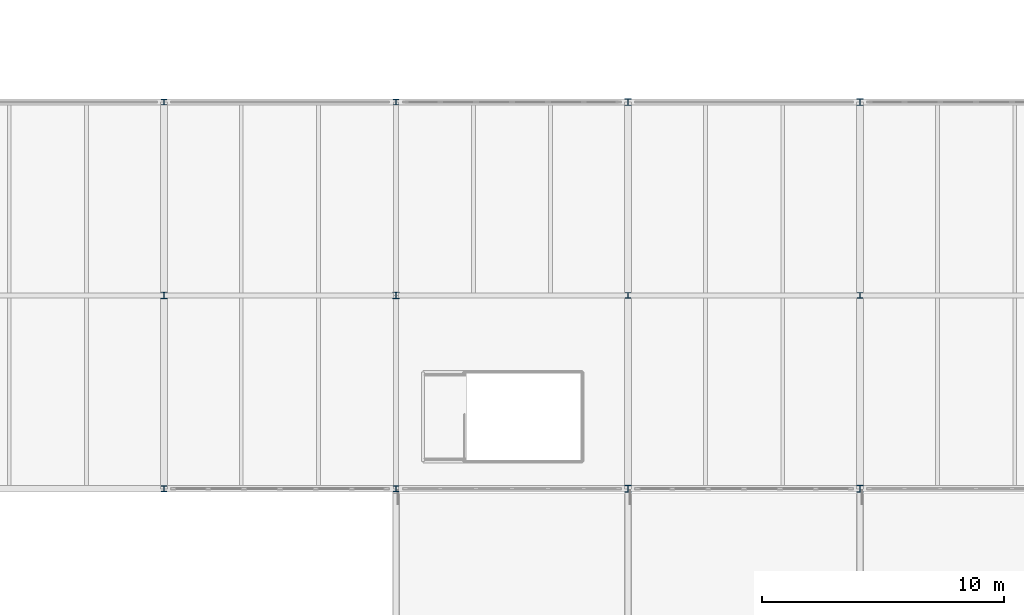
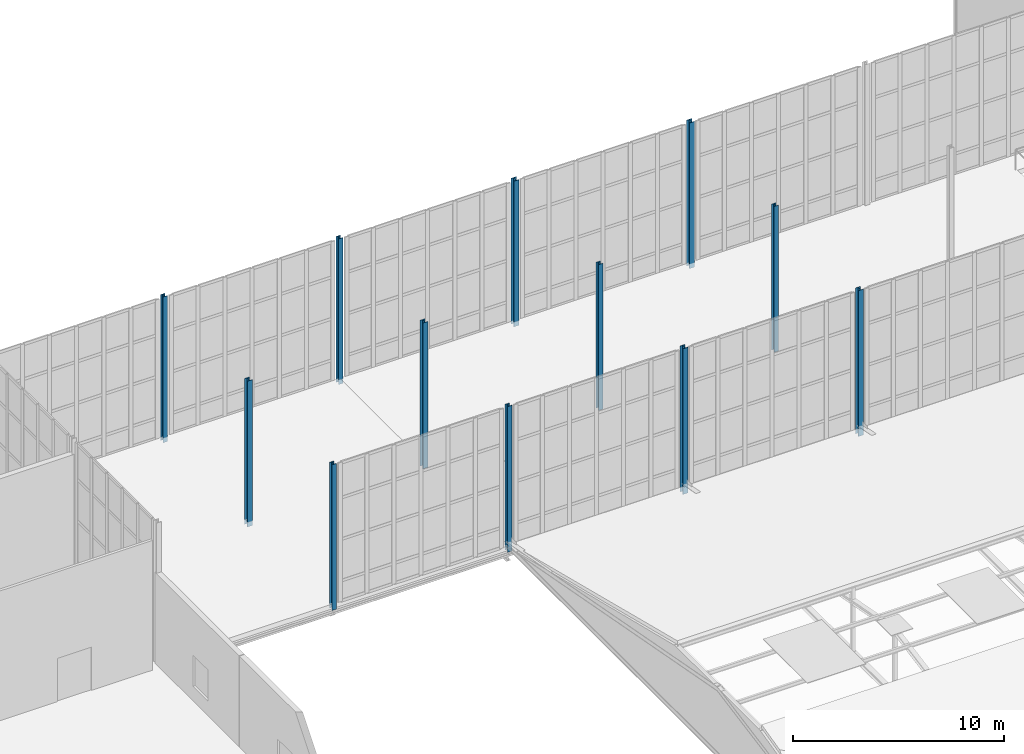
# One storey, part 8 of 73: 12 columns.
"""IFC4 building model written with IfcOpenShell, lengths in metres."""

import ifcopenshell
import ifcopenshell.guid

model = None  # the IFC model being written
_history = None  # IfcOwnerHistory: only IFC2X3 demands one
_inside = {}  # id of a spatial element -> (the spatial element, [elements in it])
_under = {}  # id of a project, library or spatial element -> (it, [spatial elements below it])
_declared = {}  # id of a project -> (the project, [libraries it declares])
_typed = {}  # id of a type object -> (the type object, [elements of that type])
_made_of = {}  # id of a material, layer set ... -> (it, [elements and type objects made of it])


def new_model(schema):
    """Start an empty IFC model of exactly this schema.

    Asked for "IFC4X3", IfcOpenShell would pick the latest addendum, in which some entities
    have other attributes; the version numbers below select the first issue.
    IFC2X3 requires an IfcOwnerHistory on every rooted entity: one is made here for all.
    """
    global model, _history
    if schema == "IFC4X3":
        model = ifcopenshell.file(schema_version=(4, 3, 0, 0))
    else:
        model = ifcopenshell.file(schema=schema)
    _inside.clear()
    _under.clear()
    _declared.clear()
    _typed.clear()
    _made_of.clear()
    _history = None
    if model.schema == "IFC2X3":
        org = make("IfcOrganization", Name="unknown")
        user = make(
            "IfcPersonAndOrganization",
            ThePerson=make("IfcPerson", FamilyName="unknown"),
            TheOrganization=org,
        )
        app = make(
            "IfcApplication",
            ApplicationDeveloper=org,
            Version="unknown",
            ApplicationFullName="unknown",
            ApplicationIdentifier="unknown",
        )
        _history = make(
            "IfcOwnerHistory",
            OwningUser=user,
            OwningApplication=app,
            ChangeAction="ADDED",
            CreationDate=0,
        )
    return model


def make(cls, **values):
    """One entity of the class cls with the attributes given. An attribute that is None is left unset."""
    return model.create_entity(
        cls, **{name: value for name, value in values.items() if value is not None}
    )


def rooted(cls, **values):
    """An entity with a GlobalId (a new one), such as an element, a storey or a relation."""
    return make(cls, GlobalId=ifcopenshell.guid.new(), OwnerHistory=_history, **values)


def si_unit(unit_type, name, prefix=None):
    """IfcSIUnit, for example si_unit("LENGTHUNIT", "METRE", prefix="MILLI")."""
    return make("IfcSIUnit", UnitType=unit_type, Prefix=prefix, Name=name)


def assignment(units):
    """IfcUnitAssignment: the units of a project."""
    return None if units is None else make("IfcUnitAssignment", Units=units)


def point(xyz):
    """IfcCartesianPoint."""
    return None if xyz is None else make("IfcCartesianPoint", Coordinates=xyz)


def direction(xyz):
    """IfcDirection."""
    return None if xyz is None else make("IfcDirection", DirectionRatios=xyz)


def frame(location, z_axis=None, x_axis=None):
    """IfcAxis2Placement3D, a coordinate frame: its origin and axes. An axis left out is left unset."""
    return make(
        "IfcAxis2Placement3D",
        Location=point(location),
        Axis=direction(z_axis),
        RefDirection=direction(x_axis),
    )


def frame_2d(location, x_axis=None):
    """IfcAxis2Placement2D, a coordinate frame in the plane: its origin and x axis."""
    return make(
        "IfcAxis2Placement2D", Location=point(location), RefDirection=direction(x_axis)
    )


def origin():
    """The frame at (0, 0, 0) with its axes left unset."""
    return frame((0.0, 0.0, 0.0))


def origin_2d():
    """The frame at (0, 0) in the plane with its x axis left unset."""
    return frame_2d((0.0, 0.0))


def place(relative_to, where):
    """IfcLocalPlacement: puts the frame where relative to a parent placement (None: the world)."""
    return make(
        "IfcLocalPlacement", PlacementRelTo=relative_to, RelativePlacement=where
    )


def context(
    kind, dimensions, precision=None, world=None, true_north=None, identifier=None
):
    """IfcGeometricRepresentationContext, for example the 3D "Model" context."""
    return make(
        "IfcGeometricRepresentationContext",
        ContextIdentifier=identifier,
        ContextType=kind,
        CoordinateSpaceDimension=dimensions,
        Precision=precision,
        WorldCoordinateSystem=world,
        TrueNorth=true_north,
    )


def subcontext(parent, identifier, kind, view, scale=None):
    """IfcGeometricRepresentationSubContext, for example "Body" below "Model"."""
    return make(
        "IfcGeometricRepresentationSubContext",
        ContextIdentifier=identifier,
        ContextType=kind,
        ParentContext=parent,
        TargetScale=scale,
        TargetView=view,
    )


def project(units=None, contexts=None):
    """IfcProject with its units and contexts."""
    return rooted(
        "IfcProject",
        Name="project",
        RepresentationContexts=contexts,
        UnitsInContext=assignment(units),
    )


def spatial(cls, under=None, at=None, **own):
    """A site, building, storey or space (cls), placed at a placement, below another one or the project."""
    s = rooted(cls, ObjectPlacement=at, **own)
    if under is not None:
        _under.setdefault(under.id(), (under, []))[1].append(s)
    return s


def profile(cls, at=None, kind="AREA", **sizes):
    """A parametric profile (cls). Its sizes go by their IFC names, for example OverallWidth=200.0."""
    return make(cls, ProfileType=kind, Position=at, **sizes)


def i_section(**sizes):
    """IfcIShapeProfileDef."""
    return profile("IfcIShapeProfileDef", **sizes)


def extrude(swept, where, along, depth):
    """IfcExtrudedAreaSolid: the profile swept, set in the frame where, extruded along a direction by depth."""
    return make(
        "IfcExtrudedAreaSolid",
        SweptArea=swept,
        Position=where,
        ExtrudedDirection=direction(along),
        Depth=depth,
    )


def shape(context_of_items, identifier, shape_type, items):
    """IfcShapeRepresentation: the items that make up one representation, for example the "Body"."""
    return make(
        "IfcShapeRepresentation",
        ContextOfItems=context_of_items,
        RepresentationIdentifier=identifier,
        RepresentationType=shape_type,
        Items=items,
    )


def material(Name=None, Category=None):
    """IfcMaterial."""
    return make("IfcMaterial", Name=Name, Category=Category)


def material_profile(
    of_material, cross_section, Name=None, Category=None, Priority=None
):
    """IfcMaterialProfile: a cross section and its material."""
    return make(
        "IfcMaterialProfile",
        Name=Name,
        Material=of_material,
        Profile=cross_section,
        Priority=Priority,
        Category=Category,
    )


def profile_set(profiles, Name=None, composite=None):
    """IfcMaterialProfileSet."""
    return make(
        "IfcMaterialProfileSet",
        Name=Name,
        MaterialProfiles=profiles,
        CompositeProfile=composite,
    )


def made_of(thing, what):
    """Note that an element or type object is made of a material, layer set ...; save() writes the relation."""
    if what is not None:
        _made_of.setdefault(what.id(), (what, []))[1].append(thing)
    return thing


def type_object(cls, material=None, **own):
    """A type object (cls), such as IfcWallType, which elements share."""
    return made_of(rooted(cls, **own), material)


def element(
    cls,
    number,
    at=None,
    inside=None,
    cuts=None,
    type_object=None,
    material=None,
    context=None,
    identifier="Body",
    shape_type=None,
    held_by="IfcProductDefinitionShape",
    body=None,
    shapes=None,
    **own,
):
    """One element of the class cls, such as IfcWall. Its Tag is "e" and its number.

    at: its placement. inside: the storey or other place that contains it. cuts: it is an
    opening in that element (IfcRelVoidsElement). A single representation is given by context,
    identifier, shape_type and body (its items); several are given by shapes. held_by: the class
    of the entity that holds the representations. save() writes the other relations.
    """
    e = rooted(cls, Tag="e%d" % number, ObjectPlacement=at, **own)
    if body is not None:
        shapes = [shape(context, identifier, shape_type, body)]
    if shapes is not None:
        e.Representation = make(held_by, Representations=shapes)
    if inside is not None:
        _inside.setdefault(inside.id(), (inside, []))[1].append(e)
    if cuts is not None:
        rooted(
            "IfcRelVoidsElement", RelatingBuildingElement=cuts, RelatedOpeningElement=e
        )
    if type_object is not None:
        _typed.setdefault(type_object.id(), (type_object, []))[1].append(e)
    return made_of(e, material)


def aggregate(whole, parts):
    """IfcRelAggregates: a whole, such as a stair, and the parts it consists of."""
    return rooted("IfcRelAggregates", RelatingObject=whole, RelatedObjects=parts)


def save(model, path):
    """Write the relations noted so far, then the file.

    IfcRelAggregates (storeys below a building ...), IfcRelContainedInSpatialStructure (elements
    in a storey), IfcRelDefinesByType, IfcRelAssociatesMaterial and IfcRelDeclares: one each for
    every whole, place, type object, material and project.
    """
    for whole, parts in _under.values():
        aggregate(whole, parts)
    for where, things in _inside.values():
        rooted(
            "IfcRelContainedInSpatialStructure",
            RelatedElements=things,
            RelatingStructure=where,
        )
    for kind, things in _typed.values():
        rooted("IfcRelDefinesByType", RelatedObjects=things, RelatingType=kind)
    for what, things in _made_of.values():
        rooted("IfcRelAssociatesMaterial", RelatedObjects=things, RelatingMaterial=what)
    for by, libraries in _declared.values():
        rooted("IfcRelDeclares", RelatingContext=by, RelatedDefinitions=libraries)
    model.write(path)


model = new_model("IFC4")

# Units and contexts
model_context = context("Model", 3, precision=1e-05, world=origin(), true_north=direction((0.0, 1.0)))
body_context = subcontext(model_context, "Body", "Model", "MODEL_VIEW")
ifc_project = project(units=[si_unit("LENGTHUNIT", "METRE"), si_unit("AREAUNIT", "SQUARE_METRE"), si_unit("VOLUMEUNIT", "CUBIC_METRE"), si_unit("PLANEANGLEUNIT", "RADIAN"), si_unit("MASSUNIT", "GRAM", prefix="KILO")], contexts=[model_context])

# Site, building, storey
site_placement = place(None, origin())
site = spatial("IfcSite", under=ifc_project, at=site_placement, CompositionType="ELEMENT")
building_placement = place(site_placement, origin())
building = spatial("IfcBuilding", under=site, at=building_placement, Name="Alderhovde Museum", CompositionType="ELEMENT")
storey_placement = place(building_placement, frame((0.0, 0.0, 17.39990234375)))
storey = spatial("IfcBuildingStorey", under=building, at=storey_placement, Name="L04", CompositionType="ELEMENT", Elevation=17.39990234375)

# Columns
ifc_material_1 = material(Name="Steel S355J2", Category="steel")
ifc_material_profile_1 = material_profile(ifc_material_1, i_section(OverallWidth=0.239990234375, OverallDepth=0.239990234375, WebThickness=0.010009765625, FlangeThickness=0.01708984375, FilletRadius=0.02099609375, at=origin_2d()), Name="HEB 240")
ifc_profile_set_1 = profile_set([ifc_material_profile_1], Name="Steel S355J2")
column_type_1 = type_object("IfcColumnType", Name="COL-HEB240", PredefinedType="COLUMN", material=ifc_profile_set_1)
for number, where, z_axis, x_axis, name in (
    (1, (67.199951171875, 72.0, -0.27978515625), (0.0, 0.0, 1.0), (1.0, 0.0, 0.0), "L04 Column (67.2, 72.0)"),
    (2, (67.199951171875, 88.0, -0.27978515625), (0.0, 0.0, 1.0), (1.0, 0.0, 0.0), "L04 Column (67.2, 88.0)"),
    (3, (76.800048828125, 72.0, -0.27978515625), (0.0, 0.0, 1.0), (1.0, 0.0, 0.0), "L04 Column (76.8, 72.0)"),
    (4, (76.800048828125, 88.0, -0.27978515625), (0.0, 0.0, 1.0), (1.0, 0.0, 0.0), "L04 Column (76.8, 88.0)"),
    (5, (86.39990234375, 80.0, -0.27978515625), (0.0, 0.0, 1.0), (1.0, 0.0, 0.0), "L04 Column (86.4, 80.0)"),
    (6, (96.0, 80.0, -0.27978515625), (0.0, 0.0, 1.0), (1.0, 0.0, 0.0), "L04 Column (96.0, 80.0)"),
):
    element("IfcColumn", number, at=place(storey_placement, frame(where, z_axis=z_axis, x_axis=x_axis)), inside=storey, type_object=column_type_1, Name=name, PredefinedType="COLUMN", context=body_context, shape_type="SweptSolid", body=[
        extrude(i_section(OverallWidth=0.239990234375, OverallDepth=0.239990234375, WebThickness=0.010009765625, FlangeThickness=0.01708984375, FilletRadius=0.02099609375, at=origin_2d()), origin(), (0.0, 0.0, 1.0), 8.429931640625),
    ])
ifc_material_2 = material(Name="Steel S355J2", Category="steel")
ifc_material_profile_2 = material_profile(ifc_material_2, i_section(OverallWidth=0.280029296875, OverallDepth=0.280029296875, WebThickness=0.010498046875, FlangeThickness=0.01806640625, FilletRadius=0.02392578125, at=origin_2d()), Name="HEB 280")
ifc_profile_set_2 = profile_set([ifc_material_profile_2], Name="Steel S355J2")
column_type_2 = type_object("IfcColumnType", Name="COL-HEB280", PredefinedType="COLUMN", material=ifc_profile_set_2)
for number, where, z_axis, x_axis, name in (
    (7, (67.199951171875, 80.0, -0.27978515625), (0.0, 0.0, 1.0), (1.0, 0.0, 0.0), "L04 Column (67.2, 80.0)"),
    (8, (76.800048828125, 80.0, -0.27978515625), (0.0, 0.0, 1.0), (1.0, 0.0, 0.0), "L04 Column (76.8, 80.0)"),
    (9, (86.39990234375, 72.0, -0.27978515625), (0.0, 0.0, 1.0), (1.0, 0.0, 0.0), "L04 Column (86.4, 72.0)"),
    (10, (86.39990234375, 88.0, -0.27978515625), (0.0, 0.0, 1.0), (1.0, 0.0, 0.0), "L04 Column (86.4, 88.0)"),
    (11, (96.0, 72.0, -0.27978515625), (0.0, 0.0, 1.0), (1.0, 0.0, 0.0), "L04 Column (96.0, 72.0)"),
    (12, (96.0, 88.0, -0.27978515625), (0.0, 0.0, 1.0), (1.0, 0.0, 0.0), "L04 Column (96.0, 88.0)"),
):
    element("IfcColumn", number, at=place(storey_placement, frame(where, z_axis=z_axis, x_axis=x_axis)), inside=storey, type_object=column_type_2, Name=name, PredefinedType="COLUMN", context=body_context, shape_type="SweptSolid", body=[
        extrude(i_section(OverallWidth=0.280029296875, OverallDepth=0.280029296875, WebThickness=0.010498046875, FlangeThickness=0.01806640625, FilletRadius=0.02392578125, at=origin_2d()), origin(), (0.0, 0.0, 1.0), 8.429931640625),
    ])

save(model, "model.ifc")
